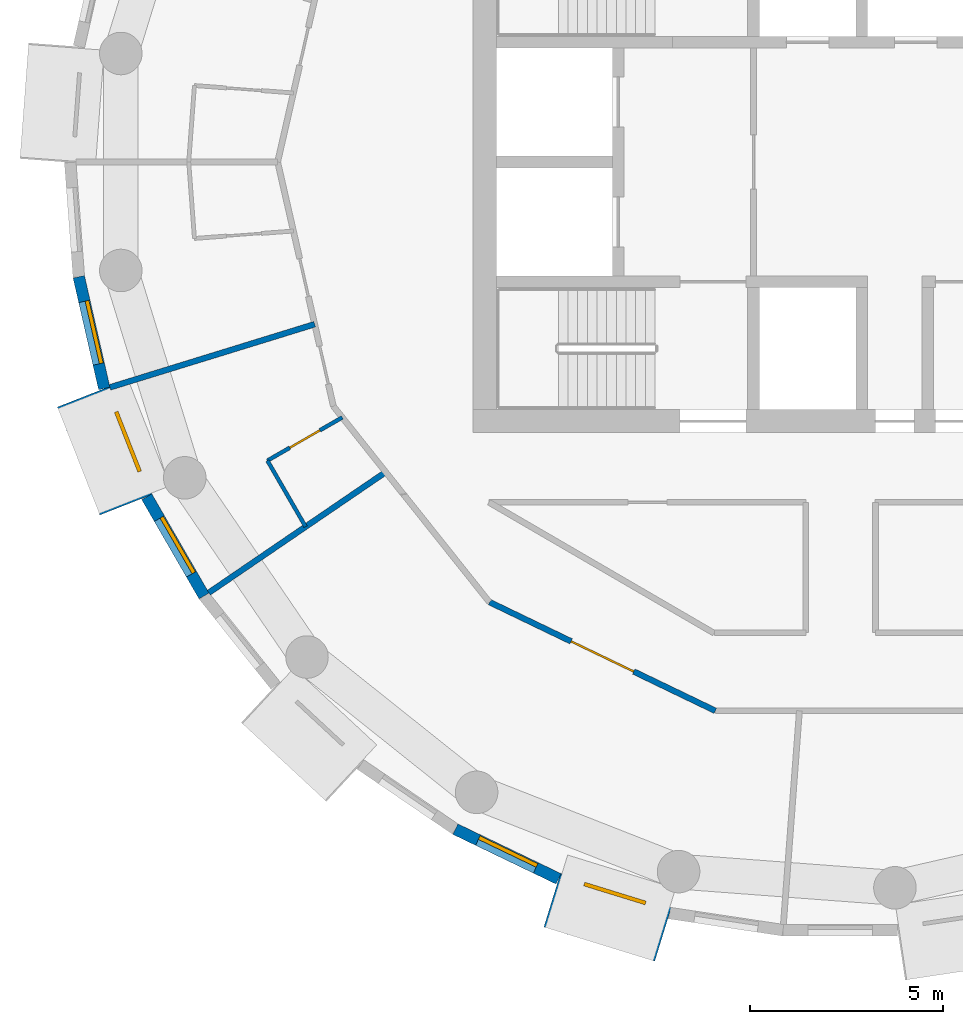
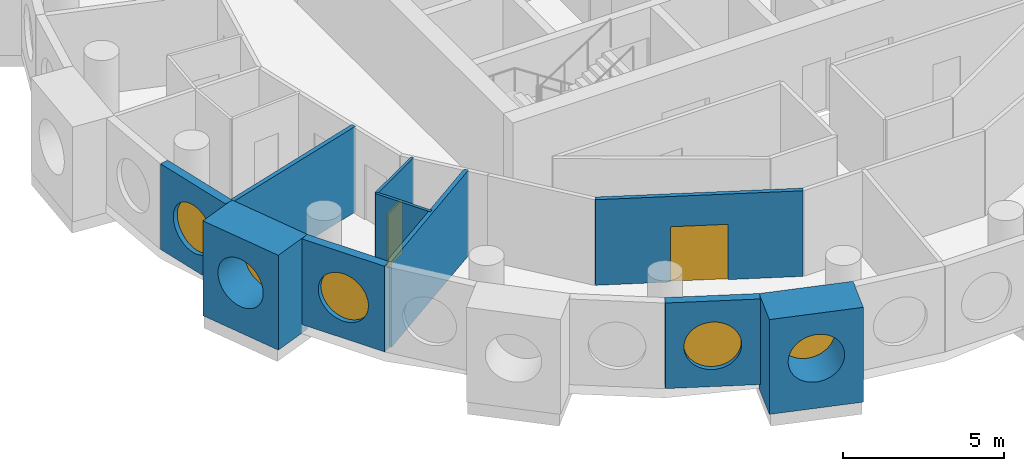
# One storey, part 2 of 12: 10 walls, 5 windows, 2 doors, 7 openings.
"""IFC4 building model written with IfcOpenShell, lengths in metres."""

from ifc_helpers import new_model, si_unit, direction, frame, frame_2d, origin, origin_2d, place, context, subcontext, project, spatial, rectangle, circle, extrude, material, layer, layer_set, type_object, element, fill, save


model = new_model("IFC4")

# Units and contexts
model_context = context("Model", 3, precision=1e-05, world=origin(), true_north=direction((0.0, 1.0)))
body_context = subcontext(model_context, "Body", "Model", "MODEL_VIEW")
ifc_project = project(units=[si_unit("LENGTHUNIT", "METRE"), si_unit("AREAUNIT", "SQUARE_METRE"), si_unit("VOLUMEUNIT", "CUBIC_METRE"), si_unit("PLANEANGLEUNIT", "RADIAN"), si_unit("MASSUNIT", "GRAM", prefix="KILO")], contexts=[model_context])

# Site, building, storey
site_placement = place(None, origin())
site = spatial("IfcSite", under=ifc_project, at=site_placement, CompositionType="ELEMENT")
building_placement = place(site_placement, origin())
building = spatial("IfcBuilding", under=site, at=building_placement, Name="Tracery Tower", CompositionType="ELEMENT")
storey_placement = place(building_placement, frame((0.0, 0.0, 234.60009765625)))
storey = spatial("IfcBuildingStorey", under=building, at=storey_placement, Name="L60", CompositionType="ELEMENT", Elevation=234.60009765625)

# Wall, opening, window
ifc_material_1 = material(Name="Precast concrete C50/60", Category="concrete")
ifc_layer_1 = layer(ifc_material_1, 1.449951171875)
ifc_layer_set_1 = layer_set([ifc_layer_1], Name="Deep-set bay unit 3000 x 3600, slab edge 350")
wall_type_1 = type_object("IfcWallType", Name="Deep-set bay unit 3000 x 3600, slab edge 350", PredefinedType="ELEMENTEDWALL", material=ifc_layer_set_1)
wall_1_placement = place(storey_placement, frame((-19.576171875, -6.071533203125, -0.35009765625), z_axis=(0.0, 0.0, 1.0), x_axis=(0.36537792632, -0.93085926485, 0.0)))
wall_1 = element("IfcWall", 1, at=wall_1_placement, inside=storey, type_object=wall_type_1, Name="Deep-set bay unit 24 at L60", PredefinedType="ELEMENTEDWALL", context=body_context, shape_type="SweptSolid", body=[
    extrude(rectangle(XDim=3.000244140625, YDim=1.449951171875, at=frame_2d((1.5, 0.0))), origin(), (0.0, 0.0, 1.0), 3.60009765625),
])
opening_1_placement = place(wall_1_placement, frame((1.5, 0.0, 1.89990234375)))
opening_1 = element("IfcOpeningElement", 2, at=opening_1_placement, cuts=wall_1, Name="Opening WN1", PredefinedType="OPENING", context=body_context, shape_type="SweptSolid", body=[
    extrude(circle(Radius=0.9000244140625, at=origin_2d()), frame((0.0, 0.73486328125, 0.0), z_axis=(0.0, -1.0, 0.0), x_axis=(1.0, 0.0, 0.0)), (0.0, 0.0, 1.0), 1.469970703125),
])
ifc_material_2 = material(Name="Aluminium frame with tinted double glazing", Category="aluminium")
window_type = type_object("IfcWindowType", Name="Round window 1800", PartitioningType="SINGLE_PANEL", PredefinedType="WINDOW", material=ifc_material_2)
window_1_placement = place(opening_1_placement, origin())
window_1 = element("IfcWindow", 3, at=window_1_placement, inside=storey, type_object=window_type, Name="Round window 24 at L60", OverallHeight=1.800048828125, OverallWidth=1.800048828125, PartitioningType="SINGLE_PANEL", PredefinedType="WINDOW", context=body_context, shape_type="SweptSolid", body=[
    extrude(circle(Radius=0.9000244140625, at=origin_2d()), frame((0.0, 0.69482421875, 0.0), z_axis=(0.0, -1.0, 0.0), x_axis=(1.0, 0.0, 0.0)), (0.0, 0.0, 1.0), 0.10009765625),
])
fill(opening_1, window_1)

wall_2_placement = place(storey_placement, frame((-7.45849609375, -19.0908203125, -0.35009765625), z_axis=(0.0, 0.0, 1.0), x_axis=(0.955571139978, -0.294760574774, 0.0)))
wall_2 = element("IfcWall", 4, at=wall_2_placement, inside=storey, type_object=wall_type_1, Name="Deep-set bay unit 30 at L60", PredefinedType="ELEMENTEDWALL", context=body_context, shape_type="SweptSolid", body=[
    extrude(rectangle(XDim=3.0, YDim=1.449951171875, at=frame_2d((1.5, 0.0))), origin(), (0.0, 0.0, 1.0), 3.60009765625),
])
opening_2_placement = place(wall_2_placement, frame((1.5, 0.0, 1.89990234375)))
opening_2 = element("IfcOpeningElement", 5, at=opening_2_placement, cuts=wall_2, Name="Opening WN1", PredefinedType="OPENING", context=body_context, shape_type="SweptSolid", body=[
    extrude(circle(Radius=0.9000244140625, at=origin_2d()), frame((0.0, 0.73486328125, 0.0), z_axis=(0.0, -1.0, 0.0), x_axis=(1.0, 0.0, 0.0)), (0.0, 0.0, 1.0), 1.469970703125),
])
window_2_placement = place(opening_2_placement, origin())
window_2 = element("IfcWindow", 6, at=window_2_placement, inside=storey, type_object=window_type, Name="Round window 30 at L60", OverallHeight=1.800048828125, OverallWidth=1.800048828125, PartitioningType="SINGLE_PANEL", PredefinedType="WINDOW", context=body_context, shape_type="SweptSolid", body=[
    extrude(circle(Radius=0.9000244140625, at=origin_2d()), frame((0.0, 0.69482421875, 0.0), z_axis=(0.0, -1.0, 0.0), x_axis=(1.0, 0.0, 0.0)), (0.0, 0.0, 1.0), 0.10009765625),
])
fill(opening_2, window_2)

ifc_material_3 = material(Name="Precast concrete C50/60", Category="concrete")
ifc_layer_2 = layer(ifc_material_3, 0.300048828125)
ifc_layer_set_2 = layer_set([ifc_layer_2], Name="Facade panel 3000 x 3250")
wall_type_2 = type_object("IfcWallType", Name="Facade panel 3000 x 3250", PredefinedType="SOLIDWALL", material=ifc_layer_set_2)
wall_3_placement = place(storey_placement, frame((-19.69921875, -2.96923828125, 0.0), z_axis=(0.0, 0.0, 1.0), x_axis=(0.222529389789, -0.974925982155, 0.0)))
wall_3 = element("IfcWall", 7, at=wall_3_placement, inside=storey, type_object=wall_type_2, Name="Facade panel 23 at L60", PredefinedType="SOLIDWALL", context=body_context, shape_type="SweptSolid", body=[
    extrude(rectangle(XDim=2.962158203125, YDim=0.300048828125, at=frame_2d((1.48095703125, 0.0))), origin(), (0.0, 0.0, 1.0), 3.25),
])
opening_3_placement = place(wall_3_placement, frame((1.48095703125, 0.0, 1.5498046875)))
opening_3 = element("IfcOpeningElement", 8, at=opening_3_placement, cuts=wall_3, Name="Opening WN1", PredefinedType="OPENING", context=body_context, shape_type="SweptSolid", body=[
    extrude(circle(Radius=0.9000244140625, at=origin_2d()), frame((0.0, 0.159912109375, 0.0), z_axis=(0.0, -1.0, 0.0), x_axis=(1.0, 0.0, 0.0)), (0.0, 0.0, 1.0), 0.320068359375),
])
window_3_placement = place(opening_3_placement, origin())
window_3 = element("IfcWindow", 9, at=window_3_placement, inside=storey, type_object=window_type, Name="Round window 23 at L60", OverallHeight=1.800048828125, OverallWidth=1.800048828125, PartitioningType="SINGLE_PANEL", PredefinedType="WINDOW", context=body_context, shape_type="SweptSolid", body=[
    extrude(circle(Radius=0.9000244140625, at=origin_2d()), frame((0.0, 0.1201171875, 0.0), z_axis=(0.0, -1.0, 0.0), x_axis=(1.0, 0.0, 0.0)), (0.0, 0.0, 1.0), 0.10009765625),
])
fill(opening_3, window_3)

wall_4_placement = place(storey_placement, frame((-17.941162109375, -8.656982421875, 0.0), z_axis=(0.0, 0.0, 1.0), x_axis=(0.499950756475, -0.86605383268, 0.0)))
wall_4 = element("IfcWall", 10, at=wall_4_placement, inside=storey, type_object=wall_type_2, Name="Facade panel 25 at L60", PredefinedType="SOLIDWALL", context=body_context, shape_type="SweptSolid", body=[
    extrude(rectangle(XDim=2.962158203125, YDim=0.300048828125, at=frame_2d((1.48095703125, 0.0))), origin(), (0.0, 0.0, 1.0), 3.25),
])
opening_4_placement = place(wall_4_placement, frame((1.48095703125, 0.0, 1.5498046875)))
opening_4 = element("IfcOpeningElement", 11, at=opening_4_placement, cuts=wall_4, Name="Opening WN1", PredefinedType="OPENING", context=body_context, shape_type="SweptSolid", body=[
    extrude(circle(Radius=0.9000244140625, at=origin_2d()), frame((0.0, 0.159912109375, 0.0), z_axis=(0.0, -1.0, 0.0), x_axis=(1.0, 0.0, 0.0)), (0.0, 0.0, 1.0), 0.320068359375),
])
window_4_placement = place(opening_4_placement, origin())
window_4 = element("IfcWindow", 12, at=window_4_placement, inside=storey, type_object=window_type, Name="Round window 25 at L60", OverallHeight=1.800048828125, OverallWidth=1.800048828125, PartitioningType="SINGLE_PANEL", PredefinedType="WINDOW", context=body_context, shape_type="SweptSolid", body=[
    extrude(circle(Radius=0.9000244140625, at=origin_2d()), frame((0.0, 0.1201171875, 0.0), z_axis=(0.0, -1.0, 0.0), x_axis=(1.0, 0.0, 0.0)), (0.0, 0.0, 1.0), 0.10009765625),
])
fill(opening_4, window_4)

wall_5_placement = place(storey_placement, frame((-9.9609375, -17.252685546875, 0.0), z_axis=(0.0, 0.0, 1.0), x_axis=(0.90095513435, -0.433912255978, 0.0)))
wall_5 = element("IfcWall", 13, at=wall_5_placement, inside=storey, type_object=wall_type_2, Name="Facade panel 29 at L60", PredefinedType="SOLIDWALL", context=body_context, shape_type="SweptSolid", body=[
    extrude(rectangle(XDim=2.96240234375, YDim=0.300048828125, at=frame_2d((1.481201171875, 0.0))), origin(), (0.0, 0.0, 1.0), 3.25),
])
opening_5_placement = place(wall_5_placement, frame((1.48095703125, 0.0, 1.5498046875)))
opening_5 = element("IfcOpeningElement", 14, at=opening_5_placement, cuts=wall_5, Name="Opening WN1", PredefinedType="OPENING", context=body_context, shape_type="SweptSolid", body=[
    extrude(circle(Radius=0.9000244140625, at=origin_2d()), frame((0.0, 0.159912109375, 0.0), z_axis=(0.0, -1.0, 0.0), x_axis=(1.0, 0.0, 0.0)), (0.0, 0.0, 1.0), 0.320068359375),
])
window_5_placement = place(opening_5_placement, origin())
window_5 = element("IfcWindow", 15, at=window_5_placement, inside=storey, type_object=window_type, Name="Round window 29 at L60", OverallHeight=1.800048828125, OverallWidth=1.800048828125, PartitioningType="SINGLE_PANEL", PredefinedType="WINDOW", context=body_context, shape_type="SweptSolid", body=[
    extrude(circle(Radius=0.9000244140625, at=origin_2d()), frame((0.0, 0.1201171875, 0.0), z_axis=(0.0, -1.0, 0.0), x_axis=(1.0, 0.0, 0.0)), (0.0, 0.0, 1.0), 0.10009765625),
])
fill(opening_5, window_5)

# Wall, opening, door
ifc_material_4 = material(Name="Plasterboard on steel studs", Category="steel")
ifc_layer_3 = layer(ifc_material_4, 0.10009765625)
ifc_layer_set_3 = layer_set([ifc_layer_3], Name="Partition 100 wet wall")
wall_type_3 = type_object("IfcWallType", Name="Partition 100 wet wall", PredefinedType="PARTITIONING", material=ifc_layer_set_3)
wall_6_placement = place(storey_placement, frame((-14.820068359375, -7.721923828125, 0.0), z_axis=(0.0, 0.0, 1.0), x_axis=(0.866076416361, 0.499911633214, 0.0)))
wall_6 = element("IfcWall", 16, at=wall_6_placement, inside=storey, type_object=wall_type_3, Name="Wet wall RC1-066", PredefinedType="PARTITIONING", context=body_context, shape_type="SweptSolid", body=[
    extrude(rectangle(XDim=2.234375, YDim=0.10009765625, at=frame_2d((1.1171875, 0.0))), origin(), (0.0, 0.0, 1.0), 3.25),
])
opening_6_placement = place(wall_6_placement, frame((0.667236328125, 0.0, 0.0)))
opening_6 = element("IfcOpeningElement", 17, at=opening_6_placement, cuts=wall_6, Name="Opening RC1-18", PredefinedType="OPENING", context=body_context, shape_type="SweptSolid", body=[
    extrude(rectangle(XDim=0.89990234375, YDim=2.0400390625, at=frame_2d((0.449951171875, 1.02001953125))), frame((0.0, 0.050048828125, 0.0), z_axis=(0.0, -1.0, 0.0), x_axis=(1.0, 0.0, 0.0)), (0.0, 0.0, 1.0), 0.10009765625),
])
ifc_material_5 = material(Name="Timber door leaf", Category="wood")
door_type_1 = type_object("IfcDoorType", Name="Door en-suite 900", OperationType="NOTDEFINED", PredefinedType="DOOR", material=ifc_material_5)
door_1_placement = place(opening_6_placement, origin())
door_1 = element("IfcDoor", 18, at=door_1_placement, inside=storey, type_object=door_type_1, Name="En-suite door RC1-18", OperationType="SINGLE_SWING_LEFT", OverallHeight=2.0400390625, OverallWidth=0.89990234375, PredefinedType="DOOR", context=body_context, shape_type="SweptSolid", body=[
    extrude(rectangle(XDim=0.89990234375, YDim=2.0400390625, at=frame_2d((0.449951171875, 1.02001953125))), frame((0.0, 0.02490234375, 0.0), z_axis=(0.0, -1.0, 0.0), x_axis=(1.0, 0.0, 0.0)), (0.0, 0.0, 1.0), 0.050048828125),
])
fill(opening_6, door_1)

# Walls
wall_7_placement = place(storey_placement, frame((-14.820068359375, -7.721923828125, 0.0), z_axis=(0.0, 0.0, 1.0), x_axis=(0.500143626598, -0.865942465048, 0.0)))
element("IfcWall", 19, at=wall_7_placement, inside=storey, type_object=wall_type_3, Name="Wet wall RC1-067", PredefinedType="PARTITIONING", context=body_context, shape_type="SweptSolid", body=[
    extrude(rectangle(XDim=1.9736328125, YDim=0.10009765625, at=frame_2d((0.98681640625, 0.0))), origin(), (0.0, 0.0, 1.0), 3.25),
])
ifc_material_6 = material(Name="Plasterboard on steel studs", Category="steel")
ifc_layer_4 = layer(ifc_material_6, 0.14990234375)
ifc_layer_set_4 = layer_set([ifc_layer_4], Name="Partition 150 acoustic unit wall")
wall_type_4 = type_object("IfcWallType", Name="Partition 150 acoustic unit wall", PredefinedType="PARTITIONING", material=ifc_layer_set_4)
wall_8_placement = place(storey_placement, frame((-18.89306640625, -5.827880859375, 0.0), z_axis=(0.0, 0.0, 1.0), x_axis=(0.955580602693, 0.294729896274, 0.0)))
element("IfcWall", 20, at=wall_8_placement, inside=storey, type_object=wall_type_4, Name="Unit wall RC1-065", PredefinedType="PARTITIONING", context=body_context, shape_type="SweptSolid", body=[
    extrude(rectangle(XDim=5.5400390625, YDim=0.14990234375, at=frame_2d((2.77001953125, 0.0))), origin(), (0.0, 0.0, 1.0), 3.25),
])
wall_9_placement = place(storey_placement, frame((-16.3359375, -11.137939453125, 0.0), z_axis=(0.0, 0.0, 1.0), x_axis=(0.82615274451, 0.563446219917, 0.0)))
element("IfcWall", 21, at=wall_9_placement, inside=storey, type_object=wall_type_4, Name="Unit wall RC1-068", PredefinedType="PARTITIONING", context=body_context, shape_type="SweptSolid", body=[
    extrude(rectangle(XDim=5.539794921875, YDim=0.14990234375, at=frame_2d((2.77001953125, 0.0))), origin(), (0.0, 0.0, 1.0), 3.25),
])

# Wall, opening, door
ifc_material_7 = material(Name="Plasterboard on steel studs", Category="steel")
ifc_layer_5 = layer(ifc_material_7, 0.14990234375)
ifc_layer_set_5 = layer_set([ifc_layer_5], Name="Partition 150 corridor wall")
wall_type_5 = type_object("IfcWallType", Name="Partition 150 corridor wall", PredefinedType="PARTITIONING", material=ifc_layer_set_5)
wall_10_placement = place(storey_placement, frame((-9.075927734375, -11.381103515625, 0.0), z_axis=(0.0, 0.0, 1.0), x_axis=(0.900976027191, -0.433868872388, 0.0)))
wall_10 = element("IfcWall", 22, at=wall_10_placement, inside=storey, type_object=wall_type_5, Name="Corridor wall RC1-043", PredefinedType="PARTITIONING", context=body_context, shape_type="SweptSolid", body=[
    extrude(rectangle(XDim=6.478515625, YDim=0.14990234375, at=frame_2d((3.2392578125, 0.0))), origin(), (0.0, 0.0, 1.0), 3.25),
])
opening_7_placement = place(wall_10_placement, frame((2.339599609375, 0.0, 0.0)))
opening_7 = element("IfcOpeningElement", 23, at=opening_7_placement, cuts=wall_10, Name="Opening RC1-20", PredefinedType="OPENING", context=body_context, shape_type="SweptSolid", body=[
    extrude(rectangle(XDim=1.800048828125, YDim=2.10009765625, at=frame_2d((0.89990234375, 1.050048828125))), frame((0.0, 0.074951171875, 0.0), z_axis=(0.0, -1.0, 0.0), x_axis=(1.0, 0.0, 0.0)), (0.0, 0.0, 1.0), 0.14990234375),
])
ifc_material_8 = material(Name="Timber door leaf", Category="wood")
door_type_2 = type_object("IfcDoorType", Name="Door double lounge 1800", OperationType="NOTDEFINED", PredefinedType="DOOR", material=ifc_material_8)
door_2_placement = place(opening_7_placement, origin())
door_2 = element("IfcDoor", 24, at=door_2_placement, inside=storey, type_object=door_type_2, Name="Double lounge door RC1-20", OperationType="DOUBLE_DOOR_SINGLE_SWING", OverallHeight=2.10009765625, OverallWidth=1.800048828125, PredefinedType="DOOR", context=body_context, shape_type="SweptSolid", body=[
    extrude(rectangle(XDim=1.800048828125, YDim=2.10009765625, at=frame_2d((0.89990234375, 1.050048828125))), frame((0.0, 0.02490234375, 0.0), z_axis=(0.0, -1.0, 0.0), x_axis=(1.0, 0.0, 0.0)), (0.0, 0.0, 1.0), 0.050048828125),
])
fill(opening_7, door_2)

save(model, "model.ifc")
